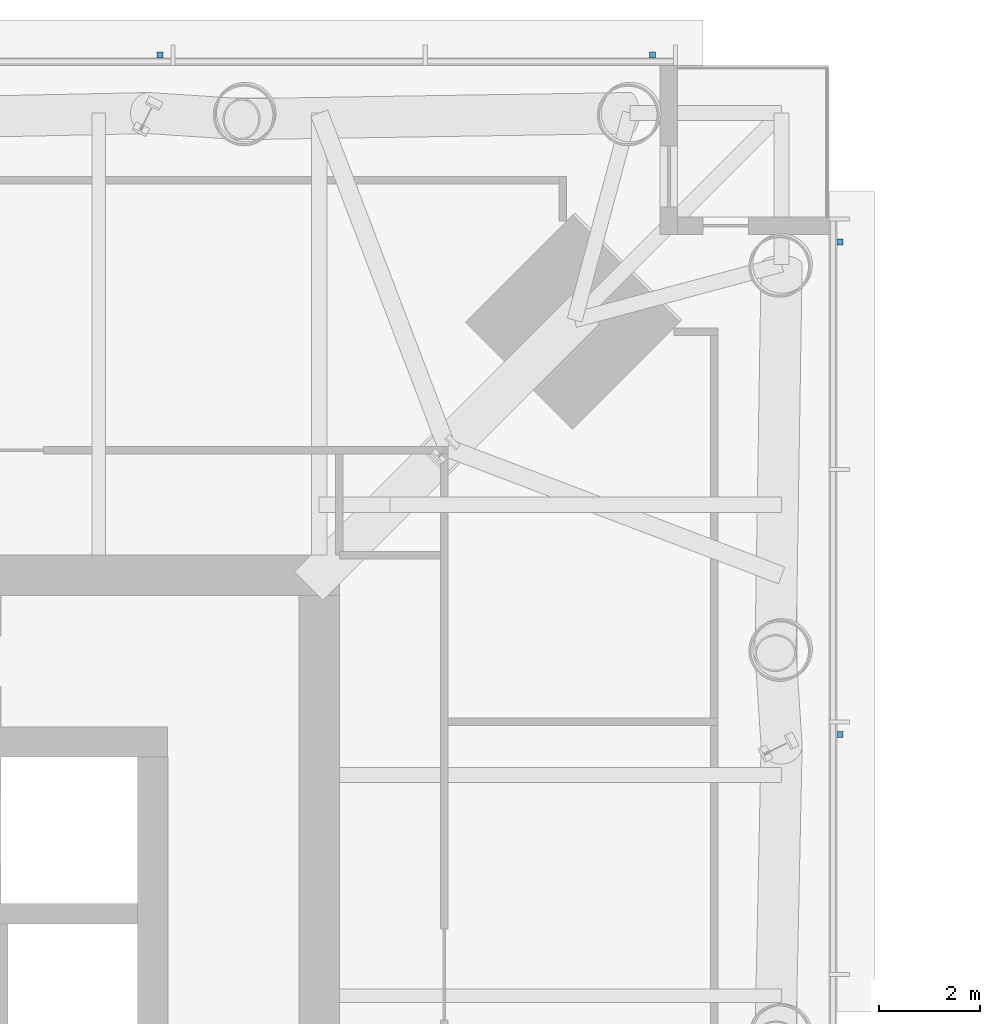
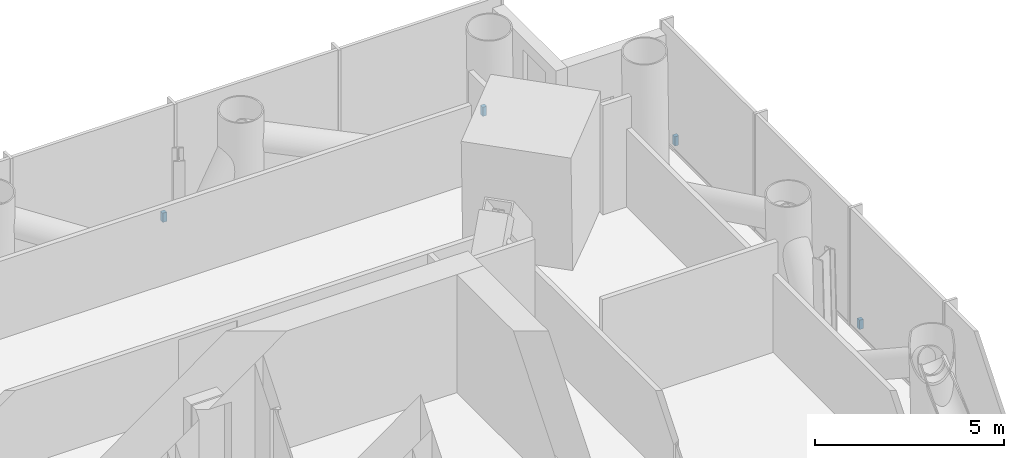
# One storey, part 20 of 28: 4 discrete accessories.
"""IFC4 building model written with IfcOpenShell, lengths in metres."""

from ifc_helpers import new_model, si_unit, direction, frame, origin, origin_2d, place, context, subcontext, project, spatial, rectangle, extrude, material, type_object, element, save


model = new_model("IFC4")

# Units and contexts
model_context = context("Model", 3, precision=1e-05, world=origin(), true_north=direction((0.0, 1.0)))
body_context = subcontext(model_context, "Body", "Model", "MODEL_VIEW")
ifc_project = project(units=[si_unit("LENGTHUNIT", "METRE"), si_unit("AREAUNIT", "SQUARE_METRE"), si_unit("VOLUMEUNIT", "CUBIC_METRE"), si_unit("PLANEANGLEUNIT", "RADIAN"), si_unit("MASSUNIT", "GRAM", prefix="KILO")], contexts=[model_context])

# Site, building, storey
site_placement = place(None, origin())
site = spatial("IfcSite", under=ifc_project, at=site_placement, CompositionType="ELEMENT")
building_placement = place(site_placement, origin())
building = spatial("IfcBuilding", under=site, at=building_placement, Name="Ostroluk Exchange", CompositionType="ELEMENT")
storey_placement = place(building_placement, frame((0.0, 0.0, 81.800048828125)))
storey = spatial("IfcBuildingStorey", under=building, at=storey_placement, Name="L20", CompositionType="ELEMENT", Elevation=81.800048828125)

# Discrete accessories
ifc_material = material(Name="Stainless steel", Category="steel")
discrete_accessory_type = type_object("IfcDiscreteAccessoryType", Name="Fall-arrest anchor PN-EN 795 type C", PredefinedType="USERDEFINED", material=ifc_material)
for number, where, z_axis, x_axis, name in (
    (1, (68.2099609375, 55.75, 0.0), (0.0, 0.0, 1.0), (1.0, 0.0, 0.0), "Fall-arrest anchor L20 east 4"),
    (2, (68.2099609375, 65.5, 0.0), (0.0, 0.0, 1.0), (1.0, 0.0, 0.0), "Fall-arrest anchor L20 east 5"),
    (3, (54.75, 69.2099609375, 0.0), (0.0, 0.0, 1.0), (1.0, 0.0, 0.0), "Fall-arrest anchor L20 north 4"),
    (4, (64.5, 69.2099609375, 0.0), (0.0, 0.0, 1.0), (1.0, 0.0, 0.0), "Fall-arrest anchor L20 north 5"),
):
    element("IfcDiscreteAccessory", number, at=place(storey_placement, frame(where, z_axis=z_axis, x_axis=x_axis)), inside=storey, type_object=discrete_accessory_type, Name=name, ObjectType="FALL ARREST ANCHOR", PredefinedType="USERDEFINED", context=body_context, shape_type="SweptSolid", body=[
        extrude(rectangle(XDim=0.1201171875, YDim=0.1201171875, at=origin_2d()), origin(), (0.0, 0.0, 1.0), 0.300048828125),
    ])

save(model, "model.ifc")
